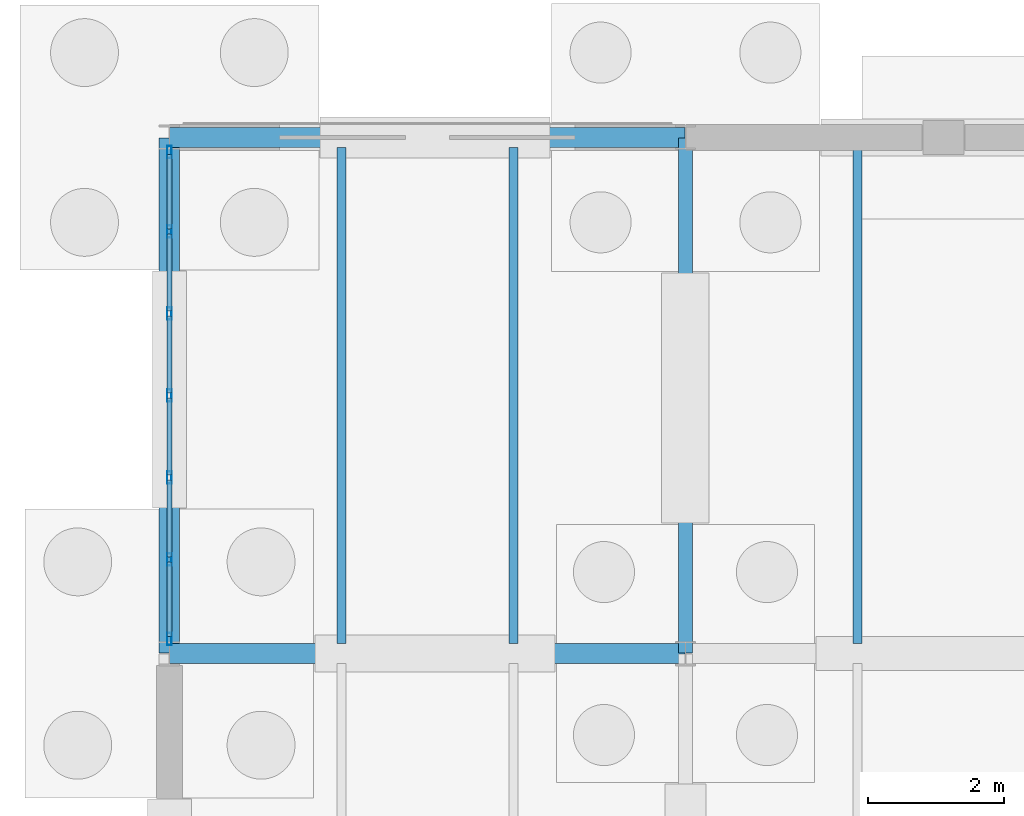
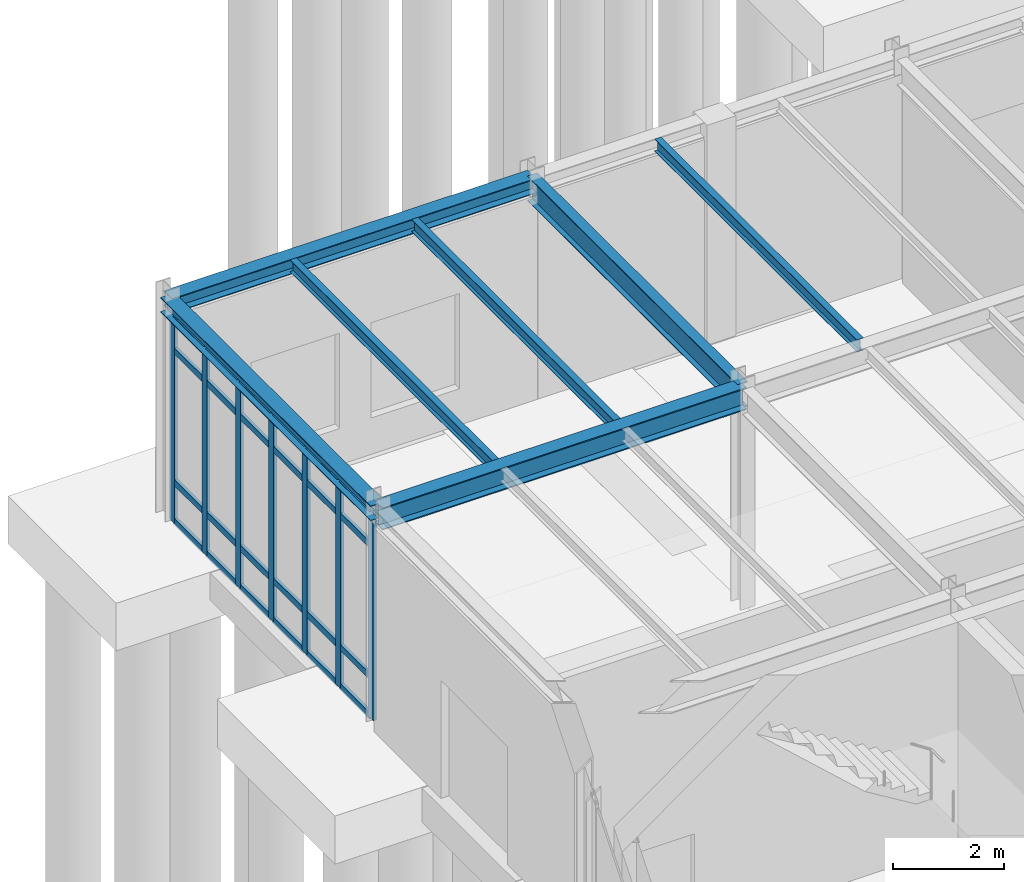
# One storey, part 32 of 109: 31 members, 7 beams, 1 element without a shape of its own.
"""IFC4 building model written with IfcOpenShell, lengths in metres."""

from ifc_helpers import new_model, si_unit, direction, frame, origin, origin_2d, place, context, subcontext, project, spatial, hollow_rectangle, i_section, extrude, material, layer, layer_set, material_profile, profile_set, type_object, element, aggregate, save


model = new_model("IFC4")

# Units and contexts
model_context = context("Model", 3, precision=1e-05, world=origin(), true_north=direction((0.0, 1.0)))
body_context = subcontext(model_context, "Body", "Model", "MODEL_VIEW")
ifc_project = project(units=[si_unit("LENGTHUNIT", "METRE"), si_unit("AREAUNIT", "SQUARE_METRE"), si_unit("VOLUMEUNIT", "CUBIC_METRE"), si_unit("PLANEANGLEUNIT", "RADIAN"), si_unit("MASSUNIT", "GRAM", prefix="KILO")], contexts=[model_context])

# Site, building, storey
site_placement = place(None, origin())
site = spatial("IfcSite", under=ifc_project, at=site_placement, CompositionType="ELEMENT")
building_placement = place(site_placement, origin())
building = spatial("IfcBuilding", under=site, at=building_placement, Name="Montecoro Central Library", CompositionType="ELEMENT")
storey_placement = place(building_placement, origin())
storey = spatial("IfcBuildingStorey", under=building, at=storey_placement, Name="L00", CompositionType="ELEMENT", Elevation=0.0)

# Beams
ifc_material_1 = material(Name="Steel S355J2", Category="steel")
ifc_material_profile_1 = material_profile(ifc_material_1, i_section(OverallWidth=0.300048828125, OverallDepth=0.489990234375, WebThickness=0.011962890625, FlangeThickness=0.02294921875, at=origin_2d()), Name="HEA 500")
ifc_profile_set_1 = profile_set([ifc_material_profile_1], Name="Steel S355J2")
beam_type_1 = type_object("IfcBeamType", Name="BM-G-HEA500", PredefinedType="USERDEFINED", material=ifc_profile_set_1)
beam_1_placement = place(storey_placement, frame((5.0048828125, 27.800048828125, 4.60009765625), z_axis=(1.0, 0.0, 0.0), x_axis=(0.0, 1.0, 0.0)))
element("IfcBeam", 1, at=beam_1_placement, inside=storey, type_object=beam_type_1, Name="V3-L00-BX-12-D", ObjectType="GIRDER", PredefinedType="USERDEFINED", context=body_context, shape_type="SweptSolid", body=[
    extrude(i_section(OverallWidth=0.300048828125, OverallDepth=0.489990234375, WebThickness=0.011962890625, FlangeThickness=0.02294921875, at=origin_2d()), origin(), (0.0, 0.0, 1.0), 7.590087890625),
])
ifc_material_profile_2 = material_profile(ifc_material_1, i_section(OverallWidth=0.2099609375, OverallDepth=0.550048828125, WebThickness=0.010986328125, FlangeThickness=0.01708984375, at=origin_2d()), Name="IPE 550")
ifc_profile_set_2 = profile_set([ifc_material_profile_2], Name="Steel S355J2")
beam_type_2 = type_object("IfcBeamType", Name="BM-G-IPE550", PredefinedType="USERDEFINED", material=ifc_profile_set_2)
beam_2_placement = place(storey_placement, frame((12.60009765625, 27.804931640625, 4.570068359375), z_axis=(0.0, 1.0, 0.0), x_axis=(-1.0, 0.0, 0.0)))
element("IfcBeam", 2, at=beam_2_placement, inside=storey, type_object=beam_type_2, Name="V3-L00-BY-2-DE", ObjectType="GIRDER", PredefinedType="USERDEFINED", context=body_context, shape_type="SweptSolid", body=[
    extrude(i_section(OverallWidth=0.2099609375, OverallDepth=0.550048828125, WebThickness=0.010986328125, FlangeThickness=0.01708984375, at=origin_2d()), origin(), (0.0, 0.0, 1.0), 7.590087890625),
])
ifc_material_2 = material(Name="Steel S355", Category="steel")
ifc_material_profile_3 = material_profile(ifc_material_2, i_section(OverallWidth=0.135009765625, OverallDepth=0.27001953125, WebThickness=0.006591796875, FlangeThickness=0.01025390625, at=origin_2d()), Name="IPE 270")
ifc_profile_set_3 = profile_set([ifc_material_profile_3], Name="Steel S355")
beam_type_3 = type_object("IfcBeamType", Name="BM-J-IPE270", PredefinedType="JOIST", material=ifc_profile_set_3)
for number, where, z_axis, x_axis, name in (
    (3, (7.532958984375, 27.947021484375, 4.7099609375), (0.0, 1.0, 0.0), (-1.0, 0.0, 0.0), "V3-L00-JS-12-DE-1"),
    (4, (10.06689453125, 27.947021484375, 4.7099609375), (0.0, 1.0, 0.0), (-1.0, 0.0, 0.0), "V3-L00-JS-12-DE-2"),
    (5, (15.133056640625, 27.947021484375, 4.7099609375), (0.0, 1.0, 0.0), (-1.0, 0.0, 0.0), "V3-L00-JS-23-DE-1"),
):
    element("IfcBeam", number, at=place(storey_placement, frame(where, z_axis=z_axis, x_axis=x_axis)), inside=storey, type_object=beam_type_3, Name=name, PredefinedType="JOIST", context=body_context, shape_type="SweptSolid", body=[
        extrude(i_section(OverallWidth=0.135009765625, OverallDepth=0.27001953125, WebThickness=0.006591796875, FlangeThickness=0.01025390625, at=origin_2d()), origin(), (0.0, 0.0, 1.0), 7.305908203125),
    ])
ifc_material_profile_4 = material_profile(ifc_material_2, i_section(OverallWidth=0.300048828125, OverallDepth=0.330078125, WebThickness=0.009521484375, FlangeThickness=0.0166015625, at=origin_2d()), Name="HEA 340")
ifc_profile_set_4 = profile_set([ifc_material_profile_4], Name="Steel S355")
beam_type_4 = type_object("IfcBeamType", Name="BM-SP-HEA340", PredefinedType="SPANDREL", material=ifc_profile_set_4)
for number, where, z_axis, x_axis, name in (
    (6, (5.0048828125, 35.39990234375, 4.679931640625), (1.0, 0.0, 0.0), (0.0, 1.0, 0.0), "V3-L00-BX-12-E"),
    (7, (5.0, 27.804931640625, 4.679931640625), (0.0, 1.0, 0.0), (-1.0, 0.0, 0.0), "V3-L00-BY-1-DE"),
):
    element("IfcBeam", number, at=place(storey_placement, frame(where, z_axis=z_axis, x_axis=x_axis)), inside=storey, type_object=beam_type_4, Name=name, PredefinedType="SPANDREL", context=body_context, shape_type="SweptSolid", body=[
        extrude(i_section(OverallWidth=0.300048828125, OverallDepth=0.330078125, WebThickness=0.009521484375, FlangeThickness=0.0166015625, at=origin_2d()), origin(), (0.0, 0.0, 1.0), 7.590087890625),
    ])

# Curtain wall, members
ifc_material_3 = material(Name="Bronze-anodised aluminium and low-E glazing", Category="aluminium")
ifc_layer = layer(ifc_material_3, 0.159912109375)
ifc_layer_set = layer_set([ifc_layer], Name="Bronze-anodised aluminium and low-E glazing")
curtain_wall_type = type_object("IfcCurtainWallType", Name="CWT-028", PredefinedType="NOTDEFINED", material=ifc_layer_set)
curtain_wall_placement = place(storey_placement, origin())
curtain_wall = element("IfcCurtainWall", 8, at=curtain_wall_placement, inside=storey, type_object=curtain_wall_type, Name="V3-L00-CW-W3", PredefinedType="NOTDEFINED")
ifc_material_4 = material(Name="Bronze-anodised aluminium", Category="aluminium")
ifc_material_profile_5 = material_profile(ifc_material_4, hollow_rectangle(XDim=0.070068359375, YDim=0.179931640625, WallThickness=0.0048828125, at=origin_2d()), Name="CWM 180x70x5.0")
ifc_profile_set_5 = profile_set([ifc_material_profile_5], Name="Bronze-anodised aluminium")
member_type_1 = type_object("IfcMemberType", Name="CWM-BRZ-70", PredefinedType="MULLION", material=ifc_profile_set_5)
member_1_placement = place(storey_placement, frame((5.0, 35.18701171875, 0.0), z_axis=(0.0, 0.0, 1.0), x_axis=(1.0, 0.0, 0.0)))
member_1 = element("IfcMember", 9, at=member_1_placement, type_object=member_type_1, Name="CW-028 mullion 1", PredefinedType="MULLION", context=body_context, shape_type="SweptSolid", body=[
    extrude(hollow_rectangle(XDim=0.070068359375, YDim=0.179931640625, WallThickness=0.0048828125, at=origin_2d()), origin(), (0.0, 0.0, 1.0), 4.5),
])
member_2_placement = place(storey_placement, frame((5.0, 34.0146484375, 0.0), z_axis=(0.0, 0.0, 1.0), x_axis=(1.0, 0.0, 0.0)))
member_2 = element("IfcMember", 10, at=member_2_placement, type_object=member_type_1, Name="CW-028 mullion 2", PredefinedType="MULLION", context=body_context, shape_type="SweptSolid", body=[
    extrude(hollow_rectangle(XDim=0.070068359375, YDim=0.179931640625, WallThickness=0.0048828125, at=origin_2d()), origin(), (0.0, 0.0, 1.0), 4.5),
])
member_3_placement = place(storey_placement, frame((5.0, 32.807373046875, 0.0), z_axis=(0.0, 0.0, 1.0), x_axis=(1.0, 0.0, 0.0)))
member_3 = element("IfcMember", 11, at=member_3_placement, type_object=member_type_1, Name="CW-028 mullion 3", PredefinedType="MULLION", context=body_context, shape_type="SweptSolid", body=[
    extrude(hollow_rectangle(XDim=0.070068359375, YDim=0.179931640625, WallThickness=0.0048828125, at=origin_2d()), origin(), (0.0, 0.0, 1.0), 4.5),
])
member_4_placement = place(storey_placement, frame((5.0, 31.60009765625, 0.0), z_axis=(0.0, 0.0, 1.0), x_axis=(1.0, 0.0, 0.0)))
member_4 = element("IfcMember", 12, at=member_4_placement, type_object=member_type_1, Name="CW-028 mullion 4", PredefinedType="MULLION", context=body_context, shape_type="SweptSolid", body=[
    extrude(hollow_rectangle(XDim=0.070068359375, YDim=0.179931640625, WallThickness=0.0048828125, at=origin_2d()), origin(), (0.0, 0.0, 1.0), 4.5),
])
member_5_placement = place(storey_placement, frame((5.0, 30.392578125, 0.0), z_axis=(0.0, 0.0, 1.0), x_axis=(1.0, 0.0, 0.0)))
member_5 = element("IfcMember", 13, at=member_5_placement, type_object=member_type_1, Name="CW-028 mullion 5", PredefinedType="MULLION", context=body_context, shape_type="SweptSolid", body=[
    extrude(hollow_rectangle(XDim=0.070068359375, YDim=0.179931640625, WallThickness=0.0048828125, at=origin_2d()), origin(), (0.0, 0.0, 1.0), 4.5),
])
member_6_placement = place(storey_placement, frame((5.0, 29.185302734375, 0.0), z_axis=(0.0, 0.0, 1.0), x_axis=(1.0, 0.0, 0.0)))
member_6 = element("IfcMember", 14, at=member_6_placement, type_object=member_type_1, Name="CW-028 mullion 6", PredefinedType="MULLION", context=body_context, shape_type="SweptSolid", body=[
    extrude(hollow_rectangle(XDim=0.070068359375, YDim=0.179931640625, WallThickness=0.0048828125, at=origin_2d()), origin(), (0.0, 0.0, 1.0), 4.5),
])
member_7_placement = place(storey_placement, frame((5.0, 28.012939453125, 0.0), z_axis=(0.0, 0.0, 1.0), x_axis=(1.0, 0.0, 0.0)))
member_7 = element("IfcMember", 15, at=member_7_placement, type_object=member_type_1, Name="CW-028 mullion 7", PredefinedType="MULLION", context=body_context, shape_type="SweptSolid", body=[
    extrude(hollow_rectangle(XDim=0.070068359375, YDim=0.179931640625, WallThickness=0.0048828125, at=origin_2d()), origin(), (0.0, 0.0, 1.0), 4.5),
])
ifc_material_profile_6 = material_profile(ifc_material_4, hollow_rectangle(XDim=0.070068359375, YDim=0.139892578125, WallThickness=0.00390625, at=origin_2d()), Name="CWT 140x70x4.0")
ifc_profile_set_6 = profile_set([ifc_material_profile_6], Name="Bronze-anodised aluminium")
member_type_2 = type_object("IfcMemberType", Name="CWT-BRZ-70", PredefinedType="USERDEFINED", material=ifc_profile_set_6)
member_8_placement = place(storey_placement, frame((5.0, 35.152099609375, 0.034912109375), z_axis=(0.0, -1.0, 0.0), x_axis=(1.0, 0.0, 0.0)))
member_8 = element("IfcMember", 16, at=member_8_placement, type_object=member_type_2, Name="CW-028 transom 1.1", ObjectType="TRANSOM", PredefinedType="USERDEFINED", context=body_context, shape_type="SweptSolid", body=[
    extrude(hollow_rectangle(XDim=0.070068359375, YDim=0.139892578125, WallThickness=0.00390625, at=origin_2d()), origin(), (0.0, 0.0, 1.0), 1.1025390625),
])
member_9_placement = place(storey_placement, frame((5.0, 35.152099609375, 0.89990234375), z_axis=(0.0, -1.0, 0.0), x_axis=(1.0, 0.0, 0.0)))
member_9 = element("IfcMember", 17, at=member_9_placement, type_object=member_type_2, Name="CW-028 transom 1.2", ObjectType="TRANSOM", PredefinedType="USERDEFINED", context=body_context, shape_type="SweptSolid", body=[
    extrude(hollow_rectangle(XDim=0.070068359375, YDim=0.139892578125, WallThickness=0.00390625, at=origin_2d()), origin(), (0.0, 0.0, 1.0), 1.1025390625),
])
member_10_placement = place(storey_placement, frame((5.0, 35.152099609375, 3.800048828125), z_axis=(0.0, -1.0, 0.0), x_axis=(1.0, 0.0, 0.0)))
member_10 = element("IfcMember", 18, at=member_10_placement, type_object=member_type_2, Name="CW-028 transom 1.3", ObjectType="TRANSOM", PredefinedType="USERDEFINED", context=body_context, shape_type="SweptSolid", body=[
    extrude(hollow_rectangle(XDim=0.070068359375, YDim=0.139892578125, WallThickness=0.00390625, at=origin_2d()), origin(), (0.0, 0.0, 1.0), 1.1025390625),
])
member_11_placement = place(storey_placement, frame((5.0, 35.152099609375, 4.465087890625), z_axis=(0.0, -1.0, 0.0), x_axis=(1.0, 0.0, 0.0)))
member_11 = element("IfcMember", 19, at=member_11_placement, type_object=member_type_2, Name="CW-028 transom 1.4", ObjectType="TRANSOM", PredefinedType="USERDEFINED", context=body_context, shape_type="SweptSolid", body=[
    extrude(hollow_rectangle(XDim=0.070068359375, YDim=0.139892578125, WallThickness=0.00390625, at=origin_2d()), origin(), (0.0, 0.0, 1.0), 1.1025390625),
])
member_12_placement = place(storey_placement, frame((5.0, 33.979736328125, 0.034912109375), z_axis=(0.0, -1.0, 0.0), x_axis=(1.0, 0.0, 0.0)))
member_12 = element("IfcMember", 20, at=member_12_placement, type_object=member_type_2, Name="CW-028 transom 2.1", ObjectType="TRANSOM", PredefinedType="USERDEFINED", context=body_context, shape_type="SweptSolid", body=[
    extrude(hollow_rectangle(XDim=0.070068359375, YDim=0.139892578125, WallThickness=0.00390625, at=origin_2d()), origin(), (0.0, 0.0, 1.0), 1.137451171875),
])
member_13_placement = place(storey_placement, frame((5.0, 33.979736328125, 0.89990234375), z_axis=(0.0, -1.0, 0.0), x_axis=(1.0, 0.0, 0.0)))
member_13 = element("IfcMember", 21, at=member_13_placement, type_object=member_type_2, Name="CW-028 transom 2.2", ObjectType="TRANSOM", PredefinedType="USERDEFINED", context=body_context, shape_type="SweptSolid", body=[
    extrude(hollow_rectangle(XDim=0.070068359375, YDim=0.139892578125, WallThickness=0.00390625, at=origin_2d()), origin(), (0.0, 0.0, 1.0), 1.137451171875),
])
member_14_placement = place(storey_placement, frame((5.0, 33.979736328125, 3.800048828125), z_axis=(0.0, -1.0, 0.0), x_axis=(1.0, 0.0, 0.0)))
member_14 = element("IfcMember", 22, at=member_14_placement, type_object=member_type_2, Name="CW-028 transom 2.3", ObjectType="TRANSOM", PredefinedType="USERDEFINED", context=body_context, shape_type="SweptSolid", body=[
    extrude(hollow_rectangle(XDim=0.070068359375, YDim=0.139892578125, WallThickness=0.00390625, at=origin_2d()), origin(), (0.0, 0.0, 1.0), 1.137451171875),
])
member_15_placement = place(storey_placement, frame((5.0, 33.979736328125, 4.465087890625), z_axis=(0.0, -1.0, 0.0), x_axis=(1.0, 0.0, 0.0)))
member_15 = element("IfcMember", 23, at=member_15_placement, type_object=member_type_2, Name="CW-028 transom 2.4", ObjectType="TRANSOM", PredefinedType="USERDEFINED", context=body_context, shape_type="SweptSolid", body=[
    extrude(hollow_rectangle(XDim=0.070068359375, YDim=0.139892578125, WallThickness=0.00390625, at=origin_2d()), origin(), (0.0, 0.0, 1.0), 1.137451171875),
])
member_16_placement = place(storey_placement, frame((5.0, 32.772216796875, 0.034912109375), z_axis=(0.0, -1.0, 0.0), x_axis=(1.0, 0.0, 0.0)))
member_16 = element("IfcMember", 24, at=member_16_placement, type_object=member_type_2, Name="CW-028 transom 3.1", ObjectType="TRANSOM", PredefinedType="USERDEFINED", context=body_context, shape_type="SweptSolid", body=[
    extrude(hollow_rectangle(XDim=0.070068359375, YDim=0.139892578125, WallThickness=0.00390625, at=origin_2d()), origin(), (0.0, 0.0, 1.0), 1.13720703125),
])
member_17_placement = place(storey_placement, frame((5.0, 32.772216796875, 0.89990234375), z_axis=(0.0, -1.0, 0.0), x_axis=(1.0, 0.0, 0.0)))
member_17 = element("IfcMember", 25, at=member_17_placement, type_object=member_type_2, Name="CW-028 transom 3.2", ObjectType="TRANSOM", PredefinedType="USERDEFINED", context=body_context, shape_type="SweptSolid", body=[
    extrude(hollow_rectangle(XDim=0.070068359375, YDim=0.139892578125, WallThickness=0.00390625, at=origin_2d()), origin(), (0.0, 0.0, 1.0), 1.13720703125),
])
member_18_placement = place(storey_placement, frame((5.0, 32.772216796875, 3.800048828125), z_axis=(0.0, -1.0, 0.0), x_axis=(1.0, 0.0, 0.0)))
member_18 = element("IfcMember", 26, at=member_18_placement, type_object=member_type_2, Name="CW-028 transom 3.3", ObjectType="TRANSOM", PredefinedType="USERDEFINED", context=body_context, shape_type="SweptSolid", body=[
    extrude(hollow_rectangle(XDim=0.070068359375, YDim=0.139892578125, WallThickness=0.00390625, at=origin_2d()), origin(), (0.0, 0.0, 1.0), 1.13720703125),
])
member_19_placement = place(storey_placement, frame((5.0, 32.772216796875, 4.465087890625), z_axis=(0.0, -1.0, 0.0), x_axis=(1.0, 0.0, 0.0)))
member_19 = element("IfcMember", 27, at=member_19_placement, type_object=member_type_2, Name="CW-028 transom 3.4", ObjectType="TRANSOM", PredefinedType="USERDEFINED", context=body_context, shape_type="SweptSolid", body=[
    extrude(hollow_rectangle(XDim=0.070068359375, YDim=0.139892578125, WallThickness=0.00390625, at=origin_2d()), origin(), (0.0, 0.0, 1.0), 1.13720703125),
])
member_20_placement = place(storey_placement, frame((5.0, 31.56494140625, 0.034912109375), z_axis=(0.0, -1.0, 0.0), x_axis=(1.0, 0.0, 0.0)))
member_20 = element("IfcMember", 28, at=member_20_placement, type_object=member_type_2, Name="CW-028 transom 4.1", ObjectType="TRANSOM", PredefinedType="USERDEFINED", context=body_context, shape_type="SweptSolid", body=[
    extrude(hollow_rectangle(XDim=0.070068359375, YDim=0.139892578125, WallThickness=0.00390625, at=origin_2d()), origin(), (0.0, 0.0, 1.0), 1.13720703125),
])
member_21_placement = place(storey_placement, frame((5.0, 31.56494140625, 0.89990234375), z_axis=(0.0, -1.0, 0.0), x_axis=(1.0, 0.0, 0.0)))
member_21 = element("IfcMember", 29, at=member_21_placement, type_object=member_type_2, Name="CW-028 transom 4.2", ObjectType="TRANSOM", PredefinedType="USERDEFINED", context=body_context, shape_type="SweptSolid", body=[
    extrude(hollow_rectangle(XDim=0.070068359375, YDim=0.139892578125, WallThickness=0.00390625, at=origin_2d()), origin(), (0.0, 0.0, 1.0), 1.13720703125),
])
member_22_placement = place(storey_placement, frame((5.0, 31.56494140625, 3.800048828125), z_axis=(0.0, -1.0, 0.0), x_axis=(1.0, 0.0, 0.0)))
member_22 = element("IfcMember", 30, at=member_22_placement, type_object=member_type_2, Name="CW-028 transom 4.3", ObjectType="TRANSOM", PredefinedType="USERDEFINED", context=body_context, shape_type="SweptSolid", body=[
    extrude(hollow_rectangle(XDim=0.070068359375, YDim=0.139892578125, WallThickness=0.00390625, at=origin_2d()), origin(), (0.0, 0.0, 1.0), 1.13720703125),
])
member_23_placement = place(storey_placement, frame((5.0, 31.56494140625, 4.465087890625), z_axis=(0.0, -1.0, 0.0), x_axis=(1.0, 0.0, 0.0)))
member_23 = element("IfcMember", 31, at=member_23_placement, type_object=member_type_2, Name="CW-028 transom 4.4", ObjectType="TRANSOM", PredefinedType="USERDEFINED", context=body_context, shape_type="SweptSolid", body=[
    extrude(hollow_rectangle(XDim=0.070068359375, YDim=0.139892578125, WallThickness=0.00390625, at=origin_2d()), origin(), (0.0, 0.0, 1.0), 1.13720703125),
])
member_24_placement = place(storey_placement, frame((5.0, 30.357666015625, 0.034912109375), z_axis=(0.0, -1.0, 0.0), x_axis=(1.0, 0.0, 0.0)))
member_24 = element("IfcMember", 32, at=member_24_placement, type_object=member_type_2, Name="CW-028 transom 5.1", ObjectType="TRANSOM", PredefinedType="USERDEFINED", context=body_context, shape_type="SweptSolid", body=[
    extrude(hollow_rectangle(XDim=0.070068359375, YDim=0.139892578125, WallThickness=0.00390625, at=origin_2d()), origin(), (0.0, 0.0, 1.0), 1.137451171875),
])
member_25_placement = place(storey_placement, frame((5.0, 30.357666015625, 0.89990234375), z_axis=(0.0, -1.0, 0.0), x_axis=(1.0, 0.0, 0.0)))
member_25 = element("IfcMember", 33, at=member_25_placement, type_object=member_type_2, Name="CW-028 transom 5.2", ObjectType="TRANSOM", PredefinedType="USERDEFINED", context=body_context, shape_type="SweptSolid", body=[
    extrude(hollow_rectangle(XDim=0.070068359375, YDim=0.139892578125, WallThickness=0.00390625, at=origin_2d()), origin(), (0.0, 0.0, 1.0), 1.137451171875),
])
member_26_placement = place(storey_placement, frame((5.0, 30.357666015625, 3.800048828125), z_axis=(0.0, -1.0, 0.0), x_axis=(1.0, 0.0, 0.0)))
member_26 = element("IfcMember", 34, at=member_26_placement, type_object=member_type_2, Name="CW-028 transom 5.3", ObjectType="TRANSOM", PredefinedType="USERDEFINED", context=body_context, shape_type="SweptSolid", body=[
    extrude(hollow_rectangle(XDim=0.070068359375, YDim=0.139892578125, WallThickness=0.00390625, at=origin_2d()), origin(), (0.0, 0.0, 1.0), 1.137451171875),
])
member_27_placement = place(storey_placement, frame((5.0, 30.357666015625, 4.465087890625), z_axis=(0.0, -1.0, 0.0), x_axis=(1.0, 0.0, 0.0)))
member_27 = element("IfcMember", 35, at=member_27_placement, type_object=member_type_2, Name="CW-028 transom 5.4", ObjectType="TRANSOM", PredefinedType="USERDEFINED", context=body_context, shape_type="SweptSolid", body=[
    extrude(hollow_rectangle(XDim=0.070068359375, YDim=0.139892578125, WallThickness=0.00390625, at=origin_2d()), origin(), (0.0, 0.0, 1.0), 1.137451171875),
])
member_28_placement = place(storey_placement, frame((5.0, 29.150390625, 0.034912109375), z_axis=(0.0, -1.0, 0.0), x_axis=(1.0, 0.0, 0.0)))
member_28 = element("IfcMember", 36, at=member_28_placement, type_object=member_type_2, Name="CW-028 transom 6.1", ObjectType="TRANSOM", PredefinedType="USERDEFINED", context=body_context, shape_type="SweptSolid", body=[
    extrude(hollow_rectangle(XDim=0.070068359375, YDim=0.139892578125, WallThickness=0.00390625, at=origin_2d()), origin(), (0.0, 0.0, 1.0), 1.102294921875),
])
member_29_placement = place(storey_placement, frame((5.0, 29.150390625, 0.89990234375), z_axis=(0.0, -1.0, 0.0), x_axis=(1.0, 0.0, 0.0)))
member_29 = element("IfcMember", 37, at=member_29_placement, type_object=member_type_2, Name="CW-028 transom 6.2", ObjectType="TRANSOM", PredefinedType="USERDEFINED", context=body_context, shape_type="SweptSolid", body=[
    extrude(hollow_rectangle(XDim=0.070068359375, YDim=0.139892578125, WallThickness=0.00390625, at=origin_2d()), origin(), (0.0, 0.0, 1.0), 1.102294921875),
])
member_30_placement = place(storey_placement, frame((5.0, 29.150390625, 3.800048828125), z_axis=(0.0, -1.0, 0.0), x_axis=(1.0, 0.0, 0.0)))
member_30 = element("IfcMember", 38, at=member_30_placement, type_object=member_type_2, Name="CW-028 transom 6.3", ObjectType="TRANSOM", PredefinedType="USERDEFINED", context=body_context, shape_type="SweptSolid", body=[
    extrude(hollow_rectangle(XDim=0.070068359375, YDim=0.139892578125, WallThickness=0.00390625, at=origin_2d()), origin(), (0.0, 0.0, 1.0), 1.102294921875),
])
member_31_placement = place(storey_placement, frame((5.0, 29.150390625, 4.465087890625), z_axis=(0.0, -1.0, 0.0), x_axis=(1.0, 0.0, 0.0)))
member_31 = element("IfcMember", 39, at=member_31_placement, type_object=member_type_2, Name="CW-028 transom 6.4", ObjectType="TRANSOM", PredefinedType="USERDEFINED", context=body_context, shape_type="SweptSolid", body=[
    extrude(hollow_rectangle(XDim=0.070068359375, YDim=0.139892578125, WallThickness=0.00390625, at=origin_2d()), origin(), (0.0, 0.0, 1.0), 1.102294921875),
])
aggregate(curtain_wall, [member_1, member_2, member_3, member_4, member_5, member_6, member_7, member_8, member_9, member_10, member_11, member_12, member_13, member_14, member_15, member_16, member_17, member_18, member_19, member_20, member_21, member_22, member_23, member_24, member_25, member_26, member_27, member_28, member_29, member_30, member_31])

save(model, "model.ifc")
